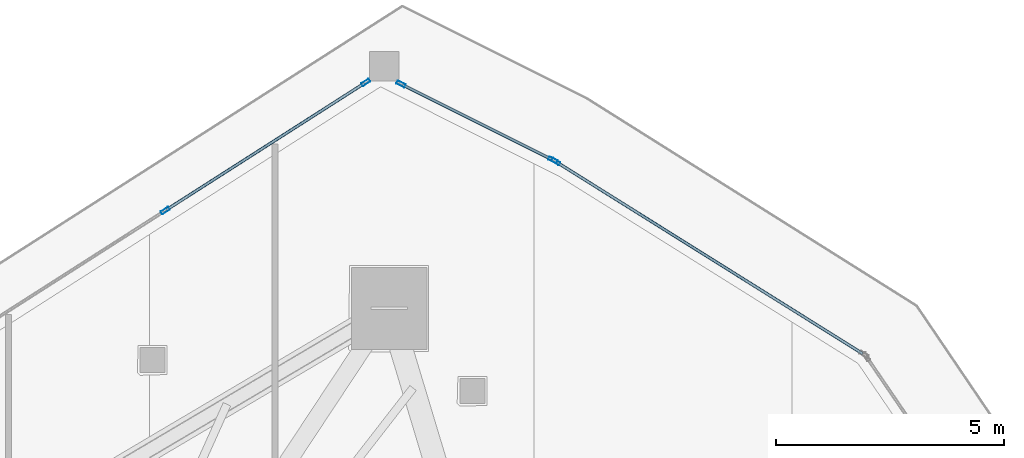
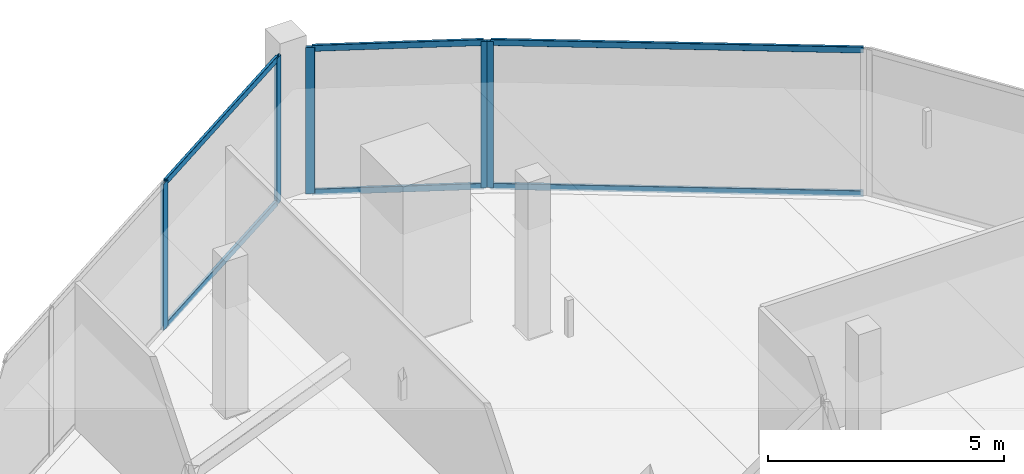
# One storey, part 25 of 40: 11 members, 3 elements without a shape of their own.
"""IFC4 building model written with IfcOpenShell, lengths in metres."""

import ifcopenshell
import ifcopenshell.guid

model = None  # the IFC model being written
_history = None  # IfcOwnerHistory: only IFC2X3 demands one
_inside = {}  # id of a spatial element -> (the spatial element, [elements in it])
_under = {}  # id of a project, library or spatial element -> (it, [spatial elements below it])
_declared = {}  # id of a project -> (the project, [libraries it declares])
_typed = {}  # id of a type object -> (the type object, [elements of that type])
_made_of = {}  # id of a material, layer set ... -> (it, [elements and type objects made of it])


def new_model(schema):
    """Start an empty IFC model of exactly this schema.

    Asked for "IFC4X3", IfcOpenShell would pick the latest addendum, in which some entities
    have other attributes; the version numbers below select the first issue.
    IFC2X3 requires an IfcOwnerHistory on every rooted entity: one is made here for all.
    """
    global model, _history
    if schema == "IFC4X3":
        model = ifcopenshell.file(schema_version=(4, 3, 0, 0))
    else:
        model = ifcopenshell.file(schema=schema)
    _inside.clear()
    _under.clear()
    _declared.clear()
    _typed.clear()
    _made_of.clear()
    _history = None
    if model.schema == "IFC2X3":
        org = make("IfcOrganization", Name="unknown")
        user = make(
            "IfcPersonAndOrganization",
            ThePerson=make("IfcPerson", FamilyName="unknown"),
            TheOrganization=org,
        )
        app = make(
            "IfcApplication",
            ApplicationDeveloper=org,
            Version="unknown",
            ApplicationFullName="unknown",
            ApplicationIdentifier="unknown",
        )
        _history = make(
            "IfcOwnerHistory",
            OwningUser=user,
            OwningApplication=app,
            ChangeAction="ADDED",
            CreationDate=0,
        )
    return model


def make(cls, **values):
    """One entity of the class cls with the attributes given. An attribute that is None is left unset."""
    return model.create_entity(
        cls, **{name: value for name, value in values.items() if value is not None}
    )


def rooted(cls, **values):
    """An entity with a GlobalId (a new one), such as an element, a storey or a relation."""
    return make(cls, GlobalId=ifcopenshell.guid.new(), OwnerHistory=_history, **values)


def si_unit(unit_type, name, prefix=None):
    """IfcSIUnit, for example si_unit("LENGTHUNIT", "METRE", prefix="MILLI")."""
    return make("IfcSIUnit", UnitType=unit_type, Prefix=prefix, Name=name)


def assignment(units):
    """IfcUnitAssignment: the units of a project."""
    return None if units is None else make("IfcUnitAssignment", Units=units)


def point(xyz):
    """IfcCartesianPoint."""
    return None if xyz is None else make("IfcCartesianPoint", Coordinates=xyz)


def direction(xyz):
    """IfcDirection."""
    return None if xyz is None else make("IfcDirection", DirectionRatios=xyz)


def frame(location, z_axis=None, x_axis=None):
    """IfcAxis2Placement3D, a coordinate frame: its origin and axes. An axis left out is left unset."""
    return make(
        "IfcAxis2Placement3D",
        Location=point(location),
        Axis=direction(z_axis),
        RefDirection=direction(x_axis),
    )


def frame_2d(location, x_axis=None):
    """IfcAxis2Placement2D, a coordinate frame in the plane: its origin and x axis."""
    return make(
        "IfcAxis2Placement2D", Location=point(location), RefDirection=direction(x_axis)
    )


def origin():
    """The frame at (0, 0, 0) with its axes left unset."""
    return frame((0.0, 0.0, 0.0))


def origin_2d():
    """The frame at (0, 0) in the plane with its x axis left unset."""
    return frame_2d((0.0, 0.0))


def place(relative_to, where):
    """IfcLocalPlacement: puts the frame where relative to a parent placement (None: the world)."""
    return make(
        "IfcLocalPlacement", PlacementRelTo=relative_to, RelativePlacement=where
    )


def context(
    kind, dimensions, precision=None, world=None, true_north=None, identifier=None
):
    """IfcGeometricRepresentationContext, for example the 3D "Model" context."""
    return make(
        "IfcGeometricRepresentationContext",
        ContextIdentifier=identifier,
        ContextType=kind,
        CoordinateSpaceDimension=dimensions,
        Precision=precision,
        WorldCoordinateSystem=world,
        TrueNorth=true_north,
    )


def subcontext(parent, identifier, kind, view, scale=None):
    """IfcGeometricRepresentationSubContext, for example "Body" below "Model"."""
    return make(
        "IfcGeometricRepresentationSubContext",
        ContextIdentifier=identifier,
        ContextType=kind,
        ParentContext=parent,
        TargetScale=scale,
        TargetView=view,
    )


def project(units=None, contexts=None):
    """IfcProject with its units and contexts."""
    return rooted(
        "IfcProject",
        Name="project",
        RepresentationContexts=contexts,
        UnitsInContext=assignment(units),
    )


def spatial(cls, under=None, at=None, **own):
    """A site, building, storey or space (cls), placed at a placement, below another one or the project."""
    s = rooted(cls, ObjectPlacement=at, **own)
    if under is not None:
        _under.setdefault(under.id(), (under, []))[1].append(s)
    return s


def profile(cls, at=None, kind="AREA", **sizes):
    """A parametric profile (cls). Its sizes go by their IFC names, for example OverallWidth=200.0."""
    return make(cls, ProfileType=kind, Position=at, **sizes)


def hollow_rectangle(**sizes):
    """IfcRectangleHollowProfileDef."""
    return profile("IfcRectangleHollowProfileDef", **sizes)


def extrude(swept, where, along, depth):
    """IfcExtrudedAreaSolid: the profile swept, set in the frame where, extruded along a direction by depth."""
    return make(
        "IfcExtrudedAreaSolid",
        SweptArea=swept,
        Position=where,
        ExtrudedDirection=direction(along),
        Depth=depth,
    )


def shape(context_of_items, identifier, shape_type, items):
    """IfcShapeRepresentation: the items that make up one representation, for example the "Body"."""
    return make(
        "IfcShapeRepresentation",
        ContextOfItems=context_of_items,
        RepresentationIdentifier=identifier,
        RepresentationType=shape_type,
        Items=items,
    )


def material(Name=None, Category=None):
    """IfcMaterial."""
    return make("IfcMaterial", Name=Name, Category=Category)


def layer(
    of_material, thickness, ventilated=None, Name=None, Category=None, Priority=None
):
    """IfcMaterialLayer: one layer of a wall or slab, of a material (None: an air gap)."""
    return make(
        "IfcMaterialLayer",
        Material=of_material,
        LayerThickness=thickness,
        IsVentilated=ventilated,
        Name=Name,
        Category=Category,
        Priority=Priority,
    )


def layer_set(layers, Name=None):
    """IfcMaterialLayerSet."""
    return make("IfcMaterialLayerSet", MaterialLayers=layers, LayerSetName=Name)


def material_profile(
    of_material, cross_section, Name=None, Category=None, Priority=None
):
    """IfcMaterialProfile: a cross section and its material."""
    return make(
        "IfcMaterialProfile",
        Name=Name,
        Material=of_material,
        Profile=cross_section,
        Priority=Priority,
        Category=Category,
    )


def profile_set(profiles, Name=None, composite=None):
    """IfcMaterialProfileSet."""
    return make(
        "IfcMaterialProfileSet",
        Name=Name,
        MaterialProfiles=profiles,
        CompositeProfile=composite,
    )


def made_of(thing, what):
    """Note that an element or type object is made of a material, layer set ...; save() writes the relation."""
    if what is not None:
        _made_of.setdefault(what.id(), (what, []))[1].append(thing)
    return thing


def type_object(cls, material=None, **own):
    """A type object (cls), such as IfcWallType, which elements share."""
    return made_of(rooted(cls, **own), material)


def element(
    cls,
    number,
    at=None,
    inside=None,
    cuts=None,
    type_object=None,
    material=None,
    context=None,
    identifier="Body",
    shape_type=None,
    held_by="IfcProductDefinitionShape",
    body=None,
    shapes=None,
    **own,
):
    """One element of the class cls, such as IfcWall. Its Tag is "e" and its number.

    at: its placement. inside: the storey or other place that contains it. cuts: it is an
    opening in that element (IfcRelVoidsElement). A single representation is given by context,
    identifier, shape_type and body (its items); several are given by shapes. held_by: the class
    of the entity that holds the representations. save() writes the other relations.
    """
    e = rooted(cls, Tag="e%d" % number, ObjectPlacement=at, **own)
    if body is not None:
        shapes = [shape(context, identifier, shape_type, body)]
    if shapes is not None:
        e.Representation = make(held_by, Representations=shapes)
    if inside is not None:
        _inside.setdefault(inside.id(), (inside, []))[1].append(e)
    if cuts is not None:
        rooted(
            "IfcRelVoidsElement", RelatingBuildingElement=cuts, RelatedOpeningElement=e
        )
    if type_object is not None:
        _typed.setdefault(type_object.id(), (type_object, []))[1].append(e)
    return made_of(e, material)


def aggregate(whole, parts):
    """IfcRelAggregates: a whole, such as a stair, and the parts it consists of."""
    return rooted("IfcRelAggregates", RelatingObject=whole, RelatedObjects=parts)


def save(model, path):
    """Write the relations noted so far, then the file.

    IfcRelAggregates (storeys below a building ...), IfcRelContainedInSpatialStructure (elements
    in a storey), IfcRelDefinesByType, IfcRelAssociatesMaterial and IfcRelDeclares: one each for
    every whole, place, type object, material and project.
    """
    for whole, parts in _under.values():
        aggregate(whole, parts)
    for where, things in _inside.values():
        rooted(
            "IfcRelContainedInSpatialStructure",
            RelatedElements=things,
            RelatingStructure=where,
        )
    for kind, things in _typed.values():
        rooted("IfcRelDefinesByType", RelatedObjects=things, RelatingType=kind)
    for what, things in _made_of.values():
        rooted("IfcRelAssociatesMaterial", RelatedObjects=things, RelatingMaterial=what)
    for by, libraries in _declared.values():
        rooted("IfcRelDeclares", RelatingContext=by, RelatedDefinitions=libraries)
    model.write(path)


model = new_model("IFC4")

# Units and contexts
model_context = context("Model", 3, precision=1e-05, world=origin(), true_north=direction((0.0, 1.0)))
body_context = subcontext(model_context, "Body", "Model", "MODEL_VIEW")
ifc_project = project(units=[si_unit("LENGTHUNIT", "METRE"), si_unit("AREAUNIT", "SQUARE_METRE"), si_unit("VOLUMEUNIT", "CUBIC_METRE"), si_unit("PLANEANGLEUNIT", "RADIAN"), si_unit("MASSUNIT", "GRAM", prefix="KILO")], contexts=[model_context])

# Site, building, storey
site_placement = place(None, origin())
site = spatial("IfcSite", under=ifc_project, at=site_placement, CompositionType="ELEMENT")
building_placement = place(site_placement, origin())
building = spatial("IfcBuilding", under=site, at=building_placement, Name="Qorvath Tower", CompositionType="ELEMENT")
storey_placement = place(building_placement, frame((0.0, 0.0, 225.300048828125)))
storey = spatial("IfcBuildingStorey", under=building, at=storey_placement, Name="L52", CompositionType="ELEMENT", Elevation=225.300048828125)

# Curtain wall, member
ifc_material_1 = material(Name="Anodised aluminium and triple low-E glass", Category="aluminium")
ifc_layer = layer(ifc_material_1, 0.179931640625)
ifc_layer_set = layer_set([ifc_layer], Name="CW-SYS-5")
curtain_wall_type = type_object("IfcCurtainWallType", Name="CW-SYS-5", PredefinedType="NOTDEFINED", material=ifc_layer_set)
curtain_wall_1_placement = place(storey_placement, origin())
curtain_wall_1 = element("IfcCurtainWall", 1, at=curtain_wall_1_placement, inside=storey, type_object=curtain_wall_type, Name="Curtain Wall CW-5 CW-T-L52-16.1", PredefinedType="NOTDEFINED")
ifc_material_2 = material(Name="Anodised aluminium 6063-T6", Category="aluminium")
ifc_material_profile_1 = material_profile(ifc_material_2, hollow_rectangle(XDim=0.074951171875, YDim=0.199951171875, WallThickness=0.00390625, InnerFilletRadius=0.00390625, OuterFilletRadius=0.008056640625, at=origin_2d()), Name="CWM 200x75")
ifc_profile_set_1 = profile_set([ifc_material_profile_1], Name="Anodised aluminium 6063-T6")
member_type_1 = type_object("IfcMemberType", Name="CWM-200", PredefinedType="MULLION", material=ifc_profile_set_1)
member_1_placement = place(storey_placement, frame((-13.21826171875, 24.84228515625, 0.0), z_axis=(0.0, 0.0, 1.0), x_axis=(-0.530545314822, -0.84765657487, 0.0)))
member_1 = element("IfcMember", 2, at=member_1_placement, type_object=member_type_1, Name="CW-5 mullion 2", PredefinedType="MULLION", context=body_context, shape_type="SweptSolid", body=[
    extrude(hollow_rectangle(XDim=0.074951171875, YDim=0.199951171875, WallThickness=0.00390625, InnerFilletRadius=0.00390625, OuterFilletRadius=0.008056640625, at=origin_2d()), origin(), (0.0, 0.0, 1.0), 3.780029296875),
])

# Curtain wall, members
curtain_wall_2_placement = place(storey_placement, origin())
curtain_wall_2 = element("IfcCurtainWall", 3, at=curtain_wall_2_placement, inside=storey, type_object=curtain_wall_type, Name="Curtain Wall CW-5 CW-T-L52-17.1", PredefinedType="NOTDEFINED")
member_2_placement = place(storey_placement, frame((-13.283447265625, 24.879150390625, 0.0), z_axis=(0.0, 0.0, 1.0), x_axis=(-0.447213595499, -0.894427191001, 0.0)))
member_2 = element("IfcMember", 4, at=member_2_placement, type_object=member_type_1, Name="CW-5 mullion 1", PredefinedType="MULLION", context=body_context, shape_type="SweptSolid", body=[
    extrude(hollow_rectangle(XDim=0.074951171875, YDim=0.199951171875, WallThickness=0.00390625, InnerFilletRadius=0.00390625, OuterFilletRadius=0.008056640625, at=origin_2d()), origin(), (0.0, 0.0, 1.0), 3.780029296875),
])
member_3_placement = place(storey_placement, frame((-16.610107421875, 26.542236328125, 0.0), z_axis=(0.0, 0.0, 1.0), x_axis=(-0.447213595499, -0.894427191001, 0.0)))
member_3 = element("IfcMember", 5, at=member_3_placement, type_object=member_type_1, Name="CW-5 mullion 2", PredefinedType="MULLION", context=body_context, shape_type="SweptSolid", body=[
    extrude(hollow_rectangle(XDim=0.074951171875, YDim=0.199951171875, WallThickness=0.00390625, InnerFilletRadius=0.00390625, OuterFilletRadius=0.008056640625, at=origin_2d()), origin(), (0.0, 0.0, 1.0), 3.780029296875),
])

curtain_wall_3_placement = place(storey_placement, origin())
curtain_wall_3 = element("IfcCurtainWall", 6, at=curtain_wall_3_placement, inside=storey, type_object=curtain_wall_type, Name="Curtain Wall CW-5 CW-T-L52-18.1", PredefinedType="NOTDEFINED")
member_4_placement = place(storey_placement, frame((-17.3828125, 26.578125, 0.0), z_axis=(0.0, 0.0, 1.0), x_axis=(0.538531098636, -0.842605634803, 0.0)))
member_4 = element("IfcMember", 7, at=member_4_placement, type_object=member_type_1, Name="CW-5 mullion 1", PredefinedType="MULLION", context=body_context, shape_type="SweptSolid", body=[
    extrude(hollow_rectangle(XDim=0.074951171875, YDim=0.199951171875, WallThickness=0.00390625, InnerFilletRadius=0.00390625, OuterFilletRadius=0.008056640625, at=origin_2d()), origin(), (0.0, 0.0, 1.0), 3.780029296875),
])
member_5_placement = place(storey_placement, frame((-21.77783203125, 23.769287109375, 0.0), z_axis=(0.0, 0.0, 1.0), x_axis=(0.538531098636, -0.842605634803, 0.0)))
member_5 = element("IfcMember", 8, at=member_5_placement, type_object=member_type_1, Name="CW-5 mullion 2", PredefinedType="MULLION", context=body_context, shape_type="SweptSolid", body=[
    extrude(hollow_rectangle(XDim=0.074951171875, YDim=0.199951171875, WallThickness=0.00390625, InnerFilletRadius=0.00390625, OuterFilletRadius=0.008056640625, at=origin_2d()), origin(), (0.0, 0.0, 1.0), 3.780029296875),
])

# Member
ifc_material_3 = material(Name="Anodised aluminium 6063-T6", Category="aluminium")
ifc_material_profile_2 = material_profile(ifc_material_3, hollow_rectangle(XDim=0.06494140625, YDim=0.159912109375, WallThickness=0.00341796875, InnerFilletRadius=0.00341796875, OuterFilletRadius=0.007080078125, at=origin_2d()), Name="CWT 160x65")
ifc_profile_set_2 = profile_set([ifc_material_profile_2], Name="Anodised aluminium 6063-T6")
member_type_2 = type_object("IfcMemberType", Name="CWT-160", PredefinedType="USERDEFINED", material=ifc_profile_set_2)
member_6_placement = place(storey_placement, frame((-6.49560546875, 20.634765625, 0.032470703125), z_axis=(-0.847661032835, 0.530538192229, 0.0), x_axis=(-0.530538192229, -0.847661032835, 0.0)))
member_6 = element("IfcMember", 9, at=member_6_placement, type_object=member_type_2, Name="CW-5 transom 1.1", ObjectType="TRANSOM", PredefinedType="USERDEFINED", context=body_context, shape_type="SweptSolid", body=[
    extrude(hollow_rectangle(XDim=0.06494140625, YDim=0.159912109375, WallThickness=0.00341796875, InnerFilletRadius=0.00341796875, OuterFilletRadius=0.007080078125, at=origin_2d()), origin(), (0.0, 0.0, 1.0), 7.893310546875),
])

member_7_placement = place(storey_placement, frame((-6.49560546875, 20.634765625, 3.74755859375), z_axis=(-0.847661032835, 0.530538192229, 0.0), x_axis=(-0.530538192229, -0.847661032835, 0.0)))
member_7 = element("IfcMember", 10, at=member_7_placement, type_object=member_type_2, Name="CW-5 transom 1.2", ObjectType="TRANSOM", PredefinedType="USERDEFINED", context=body_context, shape_type="SweptSolid", body=[
    extrude(hollow_rectangle(XDim=0.06494140625, YDim=0.159912109375, WallThickness=0.00341796875, InnerFilletRadius=0.00341796875, OuterFilletRadius=0.007080078125, at=origin_2d()), origin(), (0.0, 0.0, 1.0), 7.893310546875),
])

aggregate(curtain_wall_1, [member_1, member_6, member_7])

member_8_placement = place(storey_placement, frame((-13.317138671875, 24.895751953125, 0.032470703125), z_axis=(-0.89440039088, 0.447267191724, 0.0), x_axis=(-0.447267191724, -0.89440039088, 0.0)))
member_8 = element("IfcMember", 11, at=member_8_placement, type_object=member_type_2, Name="CW-5 transom 1.1", ObjectType="TRANSOM", PredefinedType="USERDEFINED", context=body_context, shape_type="SweptSolid", body=[
    extrude(hollow_rectangle(XDim=0.06494140625, YDim=0.159912109375, WallThickness=0.00341796875, InnerFilletRadius=0.00341796875, OuterFilletRadius=0.007080078125, at=origin_2d()), origin(), (0.0, 0.0, 1.0), 3.64404296875),
])

member_9_placement = place(storey_placement, frame((-13.317138671875, 24.895751953125, 3.74755859375), z_axis=(-0.89440039088, 0.447267191724, 0.0), x_axis=(-0.447267191724, -0.89440039088, 0.0)))
member_9 = element("IfcMember", 12, at=member_9_placement, type_object=member_type_2, Name="CW-5 transom 1.2", ObjectType="TRANSOM", PredefinedType="USERDEFINED", context=body_context, shape_type="SweptSolid", body=[
    extrude(hollow_rectangle(XDim=0.06494140625, YDim=0.159912109375, WallThickness=0.00341796875, InnerFilletRadius=0.00341796875, OuterFilletRadius=0.007080078125, at=origin_2d()), origin(), (0.0, 0.0, 1.0), 3.64404296875),
])

aggregate(curtain_wall_2, [member_2, member_3, member_8, member_9])

member_10_placement = place(storey_placement, frame((-17.41455078125, 26.55810546875, 0.032470703125), z_axis=(-0.842605874806, -0.538530723119, 0.0), x_axis=(0.538530723119, -0.842605874806, 0.0)))
member_10 = element("IfcMember", 13, at=member_10_placement, type_object=member_type_2, Name="CW-5 transom 1.1", ObjectType="TRANSOM", PredefinedType="USERDEFINED", context=body_context, shape_type="SweptSolid", body=[
    extrude(hollow_rectangle(XDim=0.06494140625, YDim=0.159912109375, WallThickness=0.00341796875, InnerFilletRadius=0.00341796875, OuterFilletRadius=0.007080078125, at=origin_2d()), origin(), (0.0, 0.0, 1.0), 5.140869140625),
])

member_11_placement = place(storey_placement, frame((-17.41455078125, 26.55810546875, 3.74755859375), z_axis=(-0.842605874806, -0.538530723119, 0.0), x_axis=(0.538530723119, -0.842605874806, 0.0)))
member_11 = element("IfcMember", 14, at=member_11_placement, type_object=member_type_2, Name="CW-5 transom 1.2", ObjectType="TRANSOM", PredefinedType="USERDEFINED", context=body_context, shape_type="SweptSolid", body=[
    extrude(hollow_rectangle(XDim=0.06494140625, YDim=0.159912109375, WallThickness=0.00341796875, InnerFilletRadius=0.00341796875, OuterFilletRadius=0.007080078125, at=origin_2d()), origin(), (0.0, 0.0, 1.0), 5.140869140625),
])

aggregate(curtain_wall_3, [member_4, member_5, member_10, member_11])

save(model, "model.ifc")
